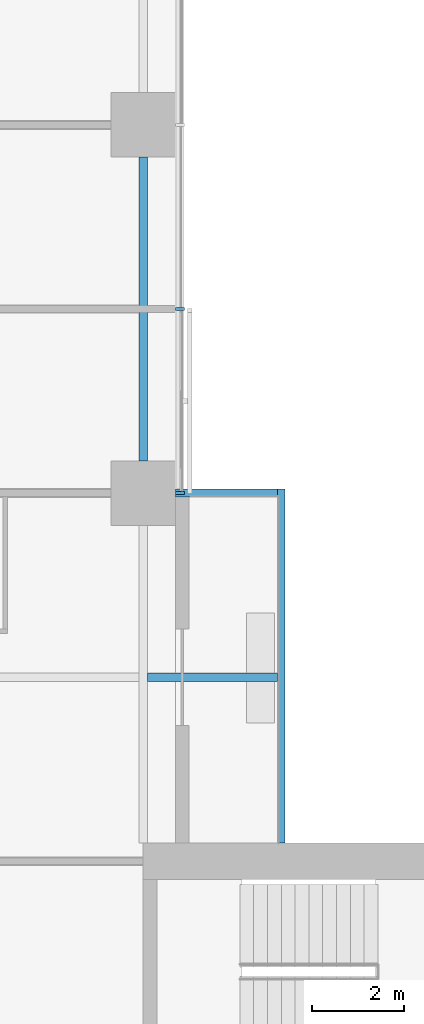
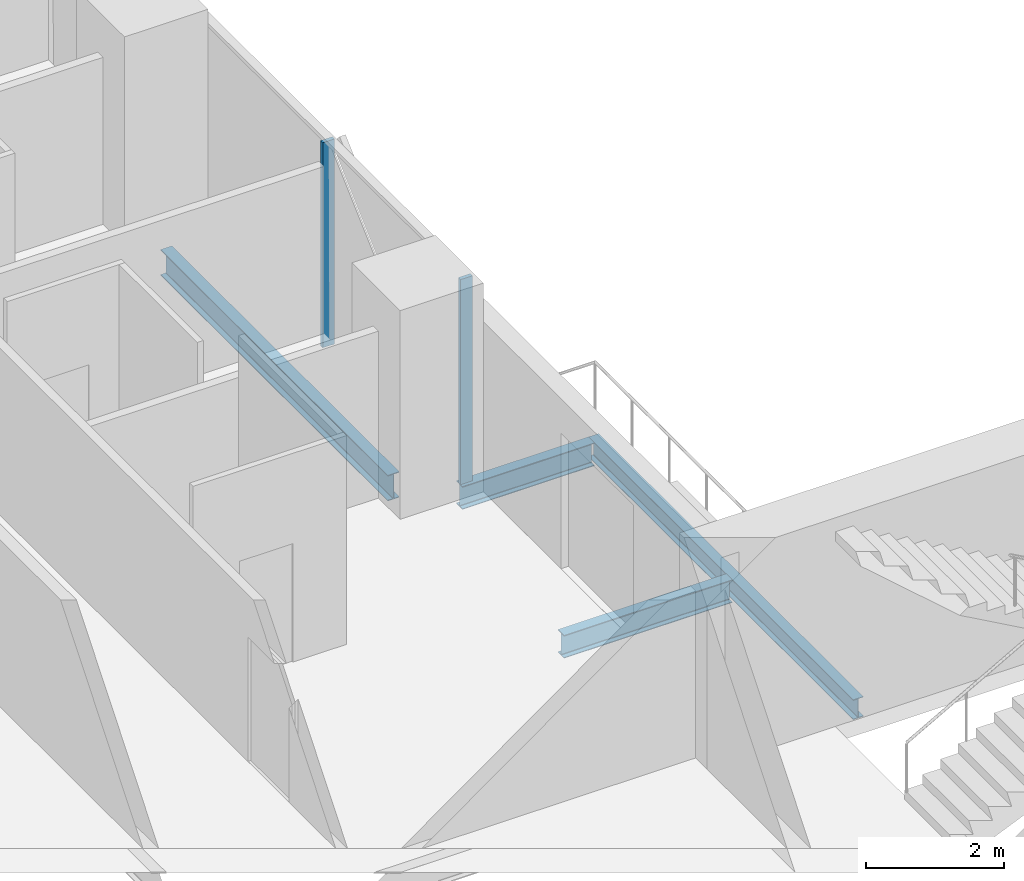
# One storey, part 10 of 29: 4 beams, 2 members, 1 element without a shape of its own.
"""IFC4 building model written with IfcOpenShell, lengths in metres."""

from ifc_helpers import new_model, si_unit, direction, frame, origin, origin_2d, place, context, subcontext, project, spatial, rectangle, i_section, extrude, material, material_profile, profile_set, type_object, element, aggregate, save


model = new_model("IFC4")

# Units and contexts
model_context = context("Model", 3, precision=1e-05, world=origin(), true_north=direction((0.0, 1.0)))
body_context = subcontext(model_context, "Body", "Model", "MODEL_VIEW")
ifc_project = project(units=[si_unit("LENGTHUNIT", "METRE"), si_unit("AREAUNIT", "SQUARE_METRE"), si_unit("VOLUMEUNIT", "CUBIC_METRE"), si_unit("PLANEANGLEUNIT", "RADIAN"), si_unit("MASSUNIT", "GRAM", prefix="KILO")], contexts=[model_context])

# Site, building, storey
site_placement = place(None, origin())
site = spatial("IfcSite", under=ifc_project, at=site_placement, CompositionType="ELEMENT")
building_placement = place(site_placement, origin())
building = spatial("IfcBuilding", under=site, at=building_placement, Name="Crosswind Convention Tower", CompositionType="ELEMENT")
storey_placement = place(building_placement, frame((0.0, 0.0, 53.5)))
storey = spatial("IfcBuildingStorey", under=building, at=storey_placement, Name="L07", CompositionType="ELEMENT", Elevation=53.5)

# Beams
ifc_material_1 = material(Name="Steel S355", Category="steel")
ifc_material_profile_1 = material_profile(ifc_material_1, i_section(OverallWidth=0.177734375, OverallDepth=0.406494140625, WebThickness=0.0078125, FlangeThickness=0.0126953125, FilletRadius=0.01025390625, at=origin_2d()), Name="UB 406x178x60")
ifc_profile_set_1 = profile_set([ifc_material_profile_1], Name="Steel S355")
beam_type_1 = type_object("IfcBeamType", Name="Balcony cantilever UB 406x178x60", PredefinedType="BEAM", material=ifc_profile_set_1)
beam_1_placement = place(storey_placement, frame((137.09521484375, 116.0, -0.483154296875), z_axis=(1.0, 0.0, 0.0), x_axis=(0.0, 1.0, 0.0)))
element("IfcBeam", 1, at=beam_1_placement, inside=storey, type_object=beam_type_1, Name="B35 L07 balcony cantilever NE 1", PredefinedType="BEAM", context=body_context, shape_type="SweptSolid", body=[
    extrude(i_section(OverallWidth=0.177734375, OverallDepth=0.406494140625, WebThickness=0.0078125, FlangeThickness=0.0126953125, FilletRadius=0.01025390625, at=origin_2d()), origin(), (0.0, 0.0, 1.0), 2.8193359375),
])
beam_2_placement = place(storey_placement, frame((137.699951171875, 120.0, -0.483154296875), z_axis=(1.0, 0.0, 0.0), x_axis=(0.0, 1.0, 0.0)))
element("IfcBeam", 2, at=beam_2_placement, inside=storey, type_object=beam_type_1, Name="B35 L07 balcony cantilever NE 2", PredefinedType="BEAM", context=body_context, shape_type="SweptSolid", body=[
    extrude(i_section(OverallWidth=0.177734375, OverallDepth=0.406494140625, WebThickness=0.0078125, FlangeThickness=0.0126953125, FilletRadius=0.01025390625, at=origin_2d()), origin(), (0.0, 0.0, 1.0), 2.214599609375),
])
ifc_material_profile_2 = material_profile(ifc_material_1, i_section(OverallWidth=0.1708984375, OverallDepth=0.35205078125, WebThickness=0.0068359375, FlangeThickness=0.009765625, FilletRadius=0.01025390625, at=origin_2d()), Name="UB 356x171x45")
ifc_profile_set_2 = profile_set([ifc_material_profile_2], Name="Steel S355")
beam_type_2 = type_object("IfcBeamType", Name="Balcony edge beam UB 356x171x45", PredefinedType="BEAM", material=ifc_profile_set_2)
beam_3_placement = place(storey_placement, frame((140.0, 112.39990234375, -0.4560546875), z_axis=(0.0, 1.0, 0.0), x_axis=(-1.0, 0.0, 0.0)))
element("IfcBeam", 3, at=beam_3_placement, inside=storey, type_object=beam_type_2, Name="B37 L07 balcony edge beam NE 3", PredefinedType="BEAM", context=body_context, shape_type="SweptSolid", body=[
    extrude(i_section(OverallWidth=0.1708984375, OverallDepth=0.35205078125, WebThickness=0.0068359375, FlangeThickness=0.009765625, FilletRadius=0.01025390625, at=origin_2d()), origin(), (0.0, 0.0, 1.0), 7.68896484375),
])
ifc_material_profile_3 = material_profile(ifc_material_1, i_section(OverallWidth=0.1904296875, OverallDepth=0.457275390625, WebThickness=0.009033203125, FlangeThickness=0.014404296875, FilletRadius=0.01025390625, at=origin_2d()), Name="UB 457x191x75")
ifc_profile_set_3 = profile_set([ifc_material_profile_3], Name="Steel S355")
beam_type_3 = type_object("IfcBeamType", Name="Edge beam UB 457x191x75", PredefinedType="SPANDREL", material=ifc_profile_set_3)
beam_4_placement = place(storey_placement, frame((137.0, 120.699951171875, -0.508544921875), z_axis=(0.0, 1.0, 0.0), x_axis=(-1.0, 0.0, 0.0)))
element("IfcBeam", 4, at=beam_4_placement, inside=storey, type_object=beam_type_3, Name="B17 L07 edge beam 22", PredefinedType="SPANDREL", context=body_context, shape_type="SweptSolid", body=[
    extrude(i_section(OverallWidth=0.1904296875, OverallDepth=0.457275390625, WebThickness=0.009033203125, FlangeThickness=0.014404296875, FilletRadius=0.01025390625, at=origin_2d()), origin(), (0.0, 0.0, 1.0), 6.60009765625),
])

# Curtain wall, members
ifc_material_2 = material(Name="Aluminium unitised curtain wall", Category="aluminium")
curtain_wall_type = type_object("IfcCurtainWallType", Name="HOTEL UNITISED WALL 200", PredefinedType="USERDEFINED", material=ifc_material_2)
curtain_wall_placement = place(storey_placement, origin())
curtain_wall = element("IfcCurtainWall", 5, at=curtain_wall_placement, inside=storey, type_object=curtain_wall_type, Name="CW2 L07 N-E 1", ObjectType="UNITISED", PredefinedType="USERDEFINED")
ifc_material_3 = material(Name="Aluminium mullion", Category="aluminium")
ifc_material_profile_4 = material_profile(ifc_material_3, rectangle(XDim=0.199951171875, YDim=0.06494140625, at=origin_2d()), Name="AL 200X65")
ifc_profile_set_4 = profile_set([ifc_material_profile_4], Name="Aluminium mullion")
member_type = type_object("IfcMemberType", Name="MULLION 65X200", PredefinedType="MULLION", material=ifc_profile_set_4)
member_1_placement = place(storey_placement, frame((137.800048828125, 120.0, -0.280029296875), z_axis=(0.0, 0.0, 1.0), x_axis=(1.0, 0.0, 0.0)))
member_1 = element("IfcMember", 6, at=member_1_placement, type_object=member_type, Name="CW2 mullion 1", PredefinedType="MULLION", context=body_context, shape_type="SweptSolid", body=[
    extrude(rectangle(XDim=0.199951171875, YDim=0.06494140625, at=origin_2d()), origin(), (0.0, 0.0, 1.0), 3.635009765625),
])
member_2_placement = place(storey_placement, frame((137.800048828125, 124.0, -0.280029296875), z_axis=(0.0, 0.0, 1.0), x_axis=(1.0, 0.0, 0.0)))
member_2 = element("IfcMember", 7, at=member_2_placement, type_object=member_type, Name="CW2 mullion 2", PredefinedType="MULLION", context=body_context, shape_type="SweptSolid", body=[
    extrude(rectangle(XDim=0.199951171875, YDim=0.06494140625, at=origin_2d()), origin(), (0.0, 0.0, 1.0), 3.635009765625),
])
aggregate(curtain_wall, [member_1, member_2])

save(model, "model.ifc")
